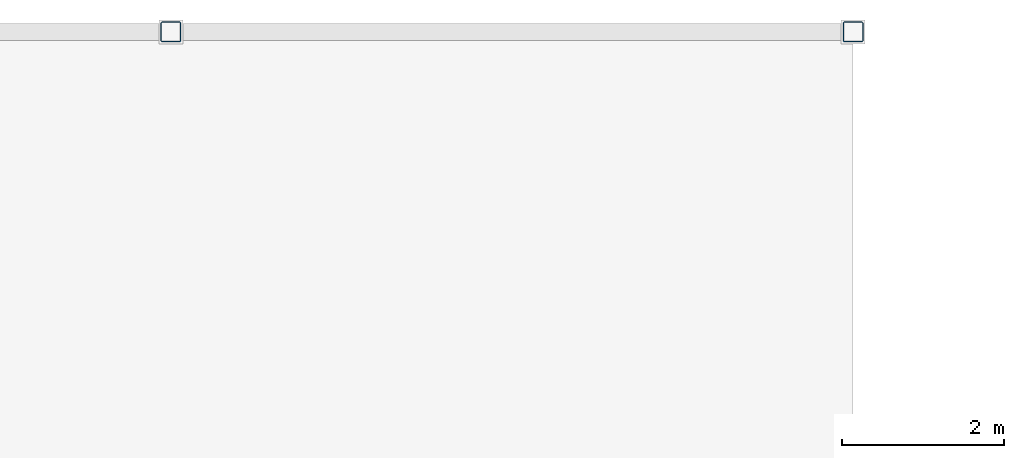
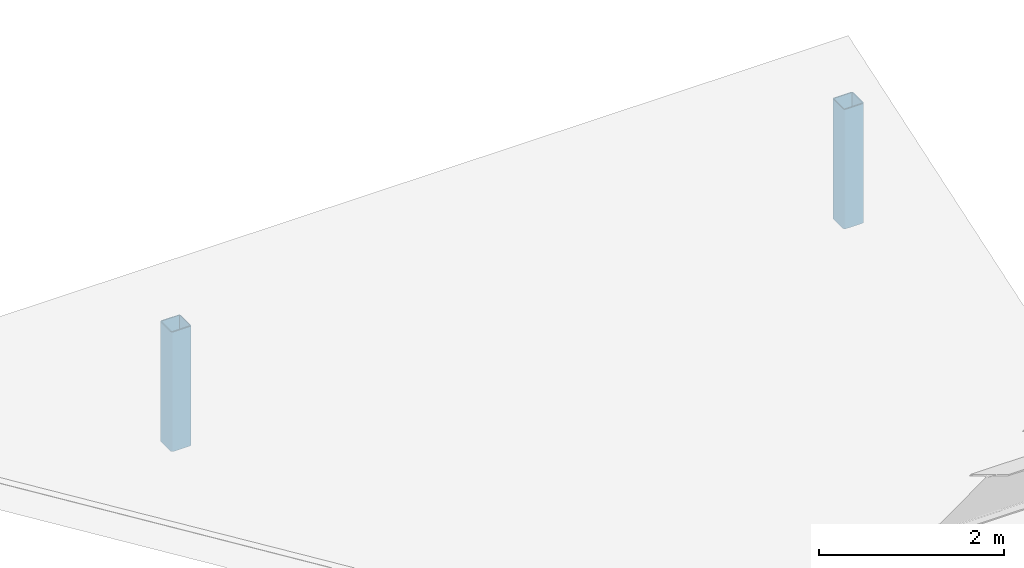
# One storey, part 13 of 72: 2 columns.
"""IFC4 building model written with IfcOpenShell, lengths in metres."""

from ifc_helpers import new_model, si_unit, direction, frame, origin, origin_2d, place, context, subcontext, project, spatial, hollow_rectangle, extrude, material, material_profile, profile_set, type_object, element, save


model = new_model("IFC4")

# Units and contexts
model_context = context("Model", 3, precision=1e-05, world=origin(), true_north=direction((0.0, 1.0)))
body_context = subcontext(model_context, "Body", "Model", "MODEL_VIEW")
ifc_project = project(units=[si_unit("LENGTHUNIT", "METRE"), si_unit("AREAUNIT", "SQUARE_METRE"), si_unit("VOLUMEUNIT", "CUBIC_METRE"), si_unit("PLANEANGLEUNIT", "RADIAN"), si_unit("MASSUNIT", "GRAM", prefix="KILO")], contexts=[model_context])

# Site, building, storey
site_placement = place(None, origin())
site = spatial("IfcSite", under=ifc_project, at=site_placement, CompositionType="ELEMENT")
building_placement = place(site_placement, origin())
building = spatial("IfcBuilding", under=site, at=building_placement, Name="Calvrana Isthmian Art Gallery", CompositionType="ELEMENT")
storey_placement = place(building_placement, frame((0.0, 0.0, 15.0)))
storey = spatial("IfcBuildingStorey", under=building, at=storey_placement, Name="L03", CompositionType="ELEMENT", Elevation=15.0)

# Columns
ifc_material = material(Name="Steel ASTM A500 Gr C", Category="steel")
ifc_material_profile = material_profile(ifc_material, hollow_rectangle(XDim=0.25390625, YDim=0.25390625, WallThickness=0.0126953125, OuterFilletRadius=0.02490234375, at=origin_2d()), Name="HSS254X254X12.7")
ifc_profile_set = profile_set([ifc_material_profile], Name="Steel ASTM A500 Gr C")
column_type = type_object("IfcColumnType", Name="COL-STL-HSS254X254X12.7", PredefinedType="COLUMN", material=ifc_profile_set)
for number, where, z_axis, x_axis, name in (
    (1, (55.199951171875, 112.800048828125, 0.0), (0.0, 0.0, 1.0), (1.0, 0.0, 0.0), "Roof ridge post L03-19"),
    (2, (63.60009765625, 112.800048828125, 0.0), (0.0, 0.0, 1.0), (1.0, 0.0, 0.0), "Roof ridge post L03-20"),
):
    element("IfcColumn", number, at=place(storey_placement, frame(where, z_axis=z_axis, x_axis=x_axis)), inside=storey, type_object=column_type, Name=name, PredefinedType="COLUMN", context=body_context, shape_type="SweptSolid", body=[
        extrude(hollow_rectangle(XDim=0.25390625, YDim=0.25390625, WallThickness=0.0126953125, OuterFilletRadius=0.02490234375, at=origin_2d()), origin(), (0.0, 0.0, 1.0), 1.580078125),
    ])

save(model, "model.ifc")
